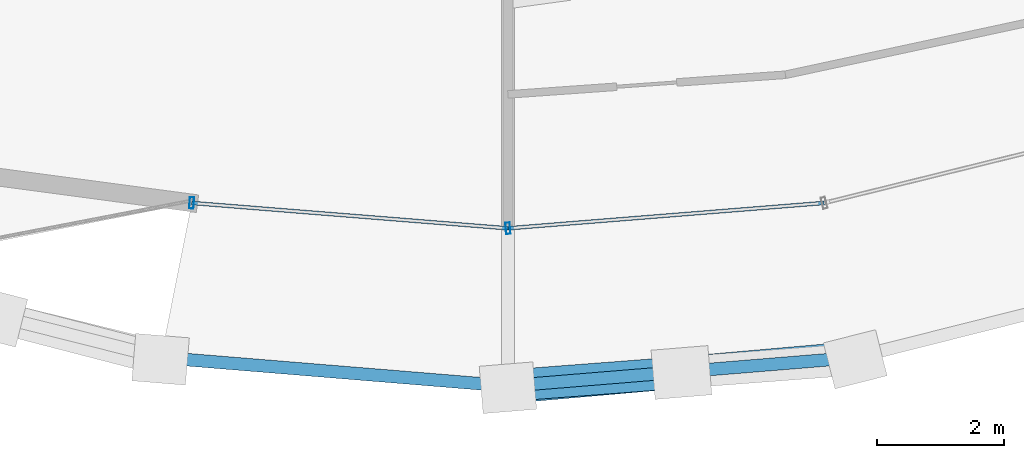
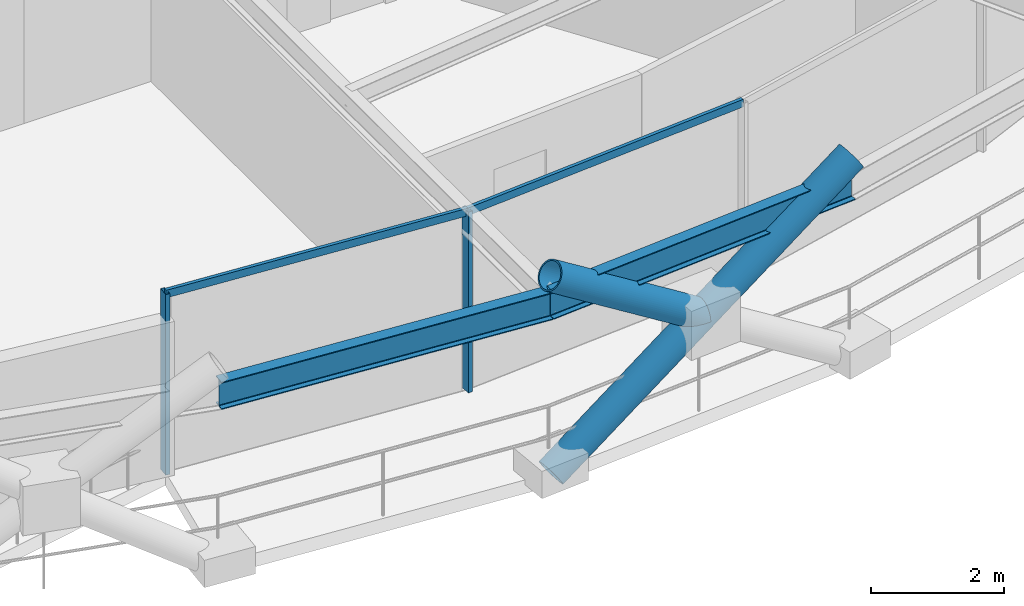
# One storey, part 2 of 19: 6 members, 2 beams, 1 element without a shape of its own.
"""IFC4 building model written with IfcOpenShell, lengths in metres."""

from ifc_helpers import new_model, si_unit, direction, frame, origin, origin_2d, place, context, subcontext, project, spatial, hollow_rectangle, hollow_circle, i_section, extrude, material, layer, layer_set, material_profile, profile_set, type_object, element, aggregate, save


model = new_model("IFC4")

# Units and contexts
model_context = context("Model", 3, precision=1e-05, world=origin(), true_north=direction((0.0, 1.0)))
body_context = subcontext(model_context, "Body", "Model", "MODEL_VIEW")
ifc_project = project(units=[si_unit("LENGTHUNIT", "METRE"), si_unit("AREAUNIT", "SQUARE_METRE"), si_unit("VOLUMEUNIT", "CUBIC_METRE"), si_unit("PLANEANGLEUNIT", "RADIAN"), si_unit("MASSUNIT", "GRAM", prefix="KILO")], contexts=[model_context])

# Site, building, storey
site_placement = place(None, origin())
site = spatial("IfcSite", under=ifc_project, at=site_placement, CompositionType="ELEMENT")
building_placement = place(site_placement, origin())
building = spatial("IfcBuilding", under=site, at=building_placement, Name="Veldorina Hangang Commons", CompositionType="ELEMENT")
storey_placement = place(building_placement, frame((0.0, 0.0, 164.0)))
storey = spatial("IfcBuildingStorey", under=building, at=storey_placement, Name="L42", CompositionType="ELEMENT", Elevation=164.0)

# Beams
ifc_material_1 = material(Name="Steel SM420-TMC", Category="steel")
ifc_material_profile_1 = material_profile(ifc_material_1, i_section(OverallWidth=0.199951171875, OverallDepth=0.5, WebThickness=0.010009765625, FlangeThickness=0.01611328125, FilletRadius=0.01611328125, at=origin_2d()), Name="H-500x200x10x16")
ifc_profile_set_1 = profile_set([ifc_material_profile_1], Name="Steel SM420-TMC")
beam_type = type_object("IfcBeamType", Name="BM-RB500", PredefinedType="BEAM", material=ifc_profile_set_1)
for number, where, z_axis, x_axis, name in (
    (1, (26.517578125, 1.077880859375, 3.10009765625), (0.996659890423, -0.081664330174, 0.0), (0.081664330174, 0.996659890423, 0.0), "L42 perimeter hoop ring beam 23"),
    (2, (32.0, 0.628662109375, 3.10009765625), (0.996659890423, 0.081664330174, 0.0), (-0.081664330174, 0.996659890423, 0.0), "L42 perimeter hoop ring beam 24"),
):
    element("IfcBeam", number, at=place(storey_placement, frame(where, z_axis=z_axis, x_axis=x_axis)), inside=storey, type_object=beam_type, Name=name, PredefinedType="BEAM", context=body_context, shape_type="SweptSolid", body=[
        extrude(i_section(OverallWidth=0.199951171875, OverallDepth=0.5, WebThickness=0.010009765625, FlangeThickness=0.01611328125, FilletRadius=0.01611328125, at=origin_2d()), origin(), (0.0, 0.0, 1.0), 5.500732421875),
    ])

# Curtain wall, members
ifc_material_2 = material(Name="Glass Low-E Triple IGU", Category="glass")
ifc_layer = layer(ifc_material_2, 0.179931640625)
ifc_layer_set = layer_set([ifc_layer], Name="Glass Low-E Triple IGU")
curtain_wall_type = type_object("IfcCurtainWallType", Name="CW-SYS-Z2", PredefinedType="NOTDEFINED", material=ifc_layer_set)
curtain_wall_placement = place(storey_placement, origin())
curtain_wall = element("IfcCurtainWall", 3, at=curtain_wall_placement, inside=storey, type_object=curtain_wall_type, Name="L42 unitised curtain wall CW-L42-R1", PredefinedType="NOTDEFINED")
ifc_material_3 = material(Name="Aluminium Anodized AA6063-T6", Category="aluminium")
ifc_material_profile_2 = material_profile(ifc_material_3, hollow_rectangle(XDim=0.070068359375, YDim=0.179931640625, WallThickness=0.00390625, at=origin_2d()), Name="ALU-RHS-180x70x4")
ifc_profile_set_2 = profile_set([ifc_material_profile_2], Name="Aluminium Anodized AA6063-T6")
member_type_1 = type_object("IfcMemberType", Name="CW-MUL-180", PredefinedType="MULLION", material=ifc_profile_set_2)
member_1_placement = place(storey_placement, frame((27.00146484375, 3.521728515625, 0.0), z_axis=(0.0, 0.0, 1.0), x_axis=(0.996794257174, -0.080007555045, 0.0)))
member_1 = element("IfcMember", 4, at=member_1_placement, type_object=member_type_1, Name="CW-L42-R1 vertical mullion 1", PredefinedType="MULLION", context=body_context, shape_type="SweptSolid", body=[
    extrude(hollow_rectangle(XDim=0.070068359375, YDim=0.179931640625, WallThickness=0.00390625, at=origin_2d()), origin(), (0.0, 0.0, 1.0), 3.31005859375),
])
member_2_placement = place(storey_placement, frame((32.0, 3.12060546875, 0.0), z_axis=(0.0, 0.0, 1.0), x_axis=(0.996794257174, 0.080007555045, 0.0)))
member_2 = element("IfcMember", 5, at=member_2_placement, type_object=member_type_1, Name="CW-L42-R1 vertical mullion 2", PredefinedType="MULLION", context=body_context, shape_type="SweptSolid", body=[
    extrude(hollow_rectangle(XDim=0.070068359375, YDim=0.179931640625, WallThickness=0.00390625, at=origin_2d()), origin(), (0.0, 0.0, 1.0), 3.31005859375),
])
ifc_material_profile_3 = material_profile(ifc_material_3, hollow_rectangle(XDim=0.06005859375, YDim=0.139892578125, WallThickness=0.00341796875, at=origin_2d()), Name="ALU-RHS-140x60x3.5")
ifc_profile_set_3 = profile_set([ifc_material_profile_3], Name="Aluminium Anodized AA6063-T6")
member_type_2 = type_object("IfcMemberType", Name="CW-TRN-140", PredefinedType="USERDEFINED", material=ifc_profile_set_3)
member_3_placement = place(storey_placement, frame((27.00146484375, 3.521728515625, 3.27001953125), z_axis=(0.996795588108, -0.079990971538, 0.0), x_axis=(0.079990971538, 0.996795588108, 0.0)))
member_3 = element("IfcMember", 6, at=member_3_placement, type_object=member_type_2, Name="CW-L42-R1 facet 1 transom 1", ObjectType="TRANSOM", PredefinedType="USERDEFINED", context=body_context, shape_type="SweptSolid", body=[
    extrude(hollow_rectangle(XDim=0.06005859375, YDim=0.139892578125, WallThickness=0.00341796875, at=origin_2d()), origin(), (0.0, 0.0, 1.0), 5.0146484375),
])
member_4_placement = place(storey_placement, frame((32.0, 3.12060546875, 3.27001953125), z_axis=(0.996795588108, 0.079990971538, 0.0), x_axis=(-0.079990971538, 0.996795588108, 0.0)))
member_4 = element("IfcMember", 7, at=member_4_placement, type_object=member_type_2, Name="CW-L42-R1 facet 2 transom 1", ObjectType="TRANSOM", PredefinedType="USERDEFINED", context=body_context, shape_type="SweptSolid", body=[
    extrude(hollow_rectangle(XDim=0.06005859375, YDim=0.139892578125, WallThickness=0.00341796875, at=origin_2d()), origin(), (0.0, 0.0, 1.0), 5.0146484375),
])
aggregate(curtain_wall, [member_1, member_2, member_3, member_4])

# Members
ifc_material_profile_4 = material_profile(ifc_material_1, hollow_circle(Radius=0.25, WallThickness=0.02490234375, at=origin_2d()), Name="CHS-500x25")
ifc_profile_set_4 = profile_set([ifc_material_profile_4], Name="Steel SM420-TMC")
member_type_3 = type_object("IfcMemberType", Name="DG-CHS500", PredefinedType="BRACE", material=ifc_profile_set_4)
member_5_placement = place(storey_placement, frame((32.0, 0.6005859375, 0.0), z_axis=(0.8335881083, 0.073255950188, 0.547507471605), x_axis=(-0.08754287846, 0.996160752304, 0.0)))
element("IfcMember", 8, at=member_5_placement, inside=storey, type_object=member_type_3, Name="L42 continuous perimeter diagrid brace 24", PredefinedType="BRACE", context=body_context, shape_type="SweptSolid", body=[
    extrude(hollow_circle(Radius=0.25, WallThickness=0.02490234375, at=origin_2d()), origin(), (0.0, 0.0, 1.0), 6.575439453125),
])
member_6_placement = place(storey_placement, frame((34.742919921875, 0.841552734375, 1.801513671875), z_axis=(-0.83457120422, -0.063363528011, 0.547243975211), x_axis=(0.075705569546, -0.997130215538, 0.0)))
element("IfcMember", 9, at=member_6_placement, inside=storey, type_object=member_type_3, Name="L42 split perimeter diagrid upper brace 25", PredefinedType="BRACE", context=body_context, shape_type="SweptSolid", body=[
    extrude(hollow_circle(Radius=0.25, WallThickness=0.02490234375, at=origin_2d()), origin(), (0.0, 0.0, 1.0), 3.28662109375),
])

save(model, "model.ifc")
